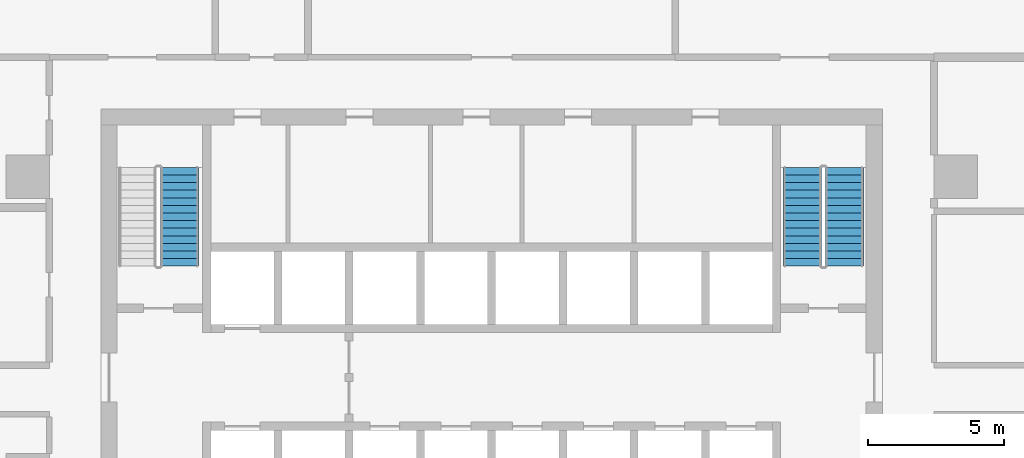
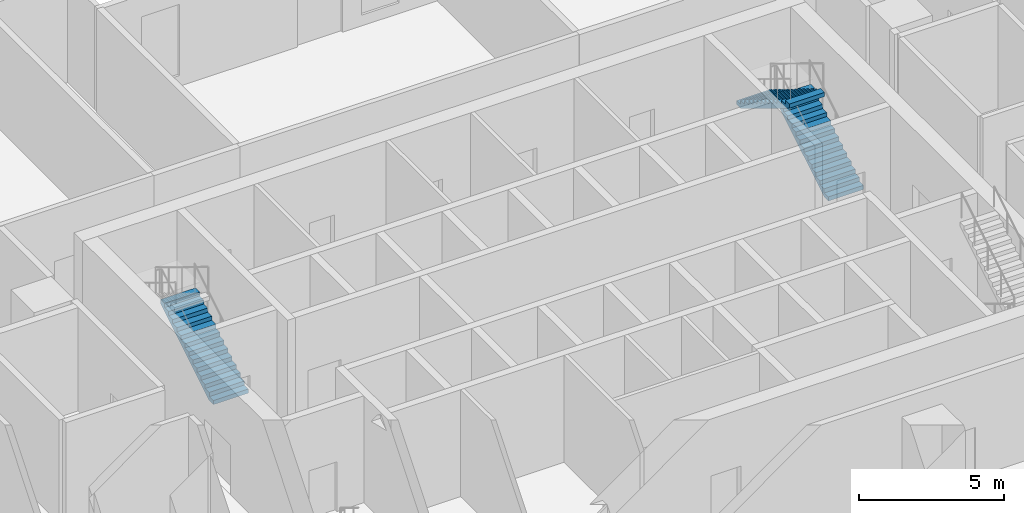
# One storey, part 11 of 14: 3 stair flights, 2 elements without a shape of their own.
"""IFC4 building model written with IfcOpenShell, lengths in metres."""

from ifc_helpers import new_model, si_unit, direction, frame, origin, place, context, subcontext, project, spatial, polyline, outline, extrude, material, type_object, element, aggregate, save


model = new_model("IFC4")

# Units and contexts
model_context = context("Model", 3, precision=1e-05, world=origin(), true_north=direction((0.0, 1.0)))
body_context = subcontext(model_context, "Body", "Model", "MODEL_VIEW")
ifc_project = project(units=[si_unit("LENGTHUNIT", "METRE"), si_unit("AREAUNIT", "SQUARE_METRE"), si_unit("VOLUMEUNIT", "CUBIC_METRE"), si_unit("PLANEANGLEUNIT", "RADIAN"), si_unit("MASSUNIT", "GRAM", prefix="KILO")], contexts=[model_context])

# Site, building, storey
site_placement = place(None, origin())
site = spatial("IfcSite", under=ifc_project, at=site_placement, CompositionType="ELEMENT")
building_placement = place(site_placement, origin())
building = spatial("IfcBuilding", under=site, at=building_placement, Name="Mopane Tessera Tower", CompositionType="ELEMENT")
storey_placement = place(building_placement, frame((0.0, 0.0, 50.199951171875)))
storey = spatial("IfcBuildingStorey", under=building, at=storey_placement, Name="L09", CompositionType="ELEMENT", Elevation=50.199951171875)

# Stair, stair flight
ifc_material_1 = material(Name="Concrete C50/60", Category="concrete")
stair_type = type_object("IfcStairType", Name="Escape stair 1400 mm, riser 171 mm", PredefinedType="HALF_TURN_STAIR", material=ifc_material_1)
stair_1_placement = place(storey_placement, origin())
stair_1 = element("IfcStair", 1, at=stair_1_placement, inside=storey, type_object=stair_type, Name="L09 Escape stair north-west", PredefinedType="HALF_TURN_STAIR")
ifc_material_2 = material(Name="Concrete C50/60", Category="concrete")
stair_flight_type = type_object("IfcStairFlightType", Name="Escape stair flight 1400 mm", PredefinedType="STRAIGHT", material=ifc_material_2)
stair_flight_1_placement = place(storey_placement, frame((-11.5, 7.699951171875, 0.0), z_axis=(0.0, 0.0, 1.0), x_axis=(0.0, 1.0, 0.0)))
stair_flight_1 = element("IfcStairFlight", 2, at=stair_flight_1_placement, type_object=stair_flight_type, Name="ST2 flight 1", NumberOfRisers=14, NumberOfTreads=13, PredefinedType="STRAIGHT", RiserHeight=0.171428571, TreadLength=0.28, context=body_context, shape_type="SweptSolid", body=[
    extrude(outline(polyline([(0.0, 0.0), (0.0, 0.17138671875), (0.280029296875, 0.17138671875), (0.280029296875, 0.3427734375), (0.56005859375, 0.3427734375), (0.56005859375, 0.514404296875), (0.840087890625, 0.514404296875), (0.840087890625, 0.685791015625), (1.1201171875, 0.685791015625), (1.1201171875, 0.857177734375), (1.39990234375, 0.857177734375), (1.39990234375, 1.028564453125), (1.679931640625, 1.028564453125), (1.679931640625, 1.199951171875), (1.9599609375, 1.199951171875), (1.9599609375, 1.371337890625), (2.239990234375, 1.371337890625), (2.239990234375, 1.54296875), (2.52001953125, 1.54296875), (2.52001953125, 1.71435546875), (2.800048828125, 1.71435546875), (2.800048828125, 1.8857421875), (3.080078125, 1.8857421875), (3.080078125, 2.05712890625), (3.360107421875, 2.05712890625), (3.360107421875, 2.228515625), (3.639892578125, 2.228515625), (3.639892578125, 2.39990234375), (3.639892578125, 2.052734375), (0.287109375, 0.0), (0.0, 0.0)])), frame((0.0, 0.699951171875, 0.0), z_axis=(0.0, -1.0, 0.0), x_axis=(1.0, 0.0, 0.0)), (0.0, 0.0, 1.0), 1.39990234375),
])
aggregate(stair_1, [stair_flight_1])

# Stair, stair flights
stair_2_placement = place(storey_placement, origin())
stair_2 = element("IfcStair", 3, at=stair_2_placement, inside=storey, type_object=stair_type, Name="L09 Escape stair north-east", PredefinedType="HALF_TURN_STAIR")
stair_flight_2_placement = place(storey_placement, frame((13.0, 7.699951171875, 0.0), z_axis=(0.0, 0.0, 1.0), x_axis=(0.0, 1.0, 0.0)))
stair_flight_2 = element("IfcStairFlight", 4, at=stair_flight_2_placement, type_object=stair_flight_type, Name="ST4 flight 1", NumberOfRisers=14, NumberOfTreads=13, PredefinedType="STRAIGHT", RiserHeight=0.171428571, TreadLength=0.28, context=body_context, shape_type="SweptSolid", body=[
    extrude(outline(polyline([(0.0, 0.0), (0.0, 0.17138671875), (0.280029296875, 0.17138671875), (0.280029296875, 0.3427734375), (0.56005859375, 0.3427734375), (0.56005859375, 0.514404296875), (0.840087890625, 0.514404296875), (0.840087890625, 0.685791015625), (1.1201171875, 0.685791015625), (1.1201171875, 0.857177734375), (1.39990234375, 0.857177734375), (1.39990234375, 1.028564453125), (1.679931640625, 1.028564453125), (1.679931640625, 1.199951171875), (1.9599609375, 1.199951171875), (1.9599609375, 1.371337890625), (2.239990234375, 1.371337890625), (2.239990234375, 1.54296875), (2.52001953125, 1.54296875), (2.52001953125, 1.71435546875), (2.800048828125, 1.71435546875), (2.800048828125, 1.8857421875), (3.080078125, 1.8857421875), (3.080078125, 2.05712890625), (3.360107421875, 2.05712890625), (3.360107421875, 2.228515625), (3.639892578125, 2.228515625), (3.639892578125, 2.39990234375), (3.639892578125, 2.052734375), (0.287109375, 0.0), (0.0, 0.0)])), frame((0.0, 0.699951171875, 0.0), z_axis=(0.0, -1.0, 0.0), x_axis=(1.0, 0.0, 0.0)), (0.0, 0.0, 1.0), 1.39990234375),
])
stair_flight_3_placement = place(storey_placement, frame((11.449951171875, 11.340087890625, 2.400146484375), z_axis=(0.0, 0.0, 1.0), x_axis=(0.0, -1.0, 0.0)))
stair_flight_3 = element("IfcStairFlight", 5, at=stair_flight_3_placement, type_object=stair_flight_type, Name="ST4 flight 2", NumberOfRisers=14, NumberOfTreads=13, PredefinedType="STRAIGHT", RiserHeight=0.171428571, TreadLength=0.28, context=body_context, shape_type="SweptSolid", body=[
    extrude(outline(polyline([(0.0, 0.0), (0.0, 0.17138671875), (0.280029296875, 0.17138671875), (0.280029296875, 0.3427734375), (0.56005859375, 0.3427734375), (0.56005859375, 0.514404296875), (0.840087890625, 0.514404296875), (0.840087890625, 0.685791015625), (1.1201171875, 0.685791015625), (1.1201171875, 0.857177734375), (1.39990234375, 0.857177734375), (1.39990234375, 1.028564453125), (1.679931640625, 1.028564453125), (1.679931640625, 1.199951171875), (1.9599609375, 1.199951171875), (1.9599609375, 1.371337890625), (2.239990234375, 1.371337890625), (2.239990234375, 1.54296875), (2.52001953125, 1.54296875), (2.52001953125, 1.71435546875), (2.800048828125, 1.71435546875), (2.800048828125, 1.8857421875), (3.080078125, 1.8857421875), (3.080078125, 2.05712890625), (3.360107421875, 2.05712890625), (3.360107421875, 2.228515625), (3.639892578125, 2.228515625), (3.639892578125, 2.39990234375), (3.639892578125, 2.052734375), (0.287109375, 0.0), (0.0, 0.0)])), frame((0.0, 0.699951171875, 0.0), z_axis=(0.0, -1.0, 0.0), x_axis=(1.0, 0.0, 0.0)), (0.0, 0.0, 1.0), 1.39990234375),
])
aggregate(stair_2, [stair_flight_2, stair_flight_3])

save(model, "model.ifc")
